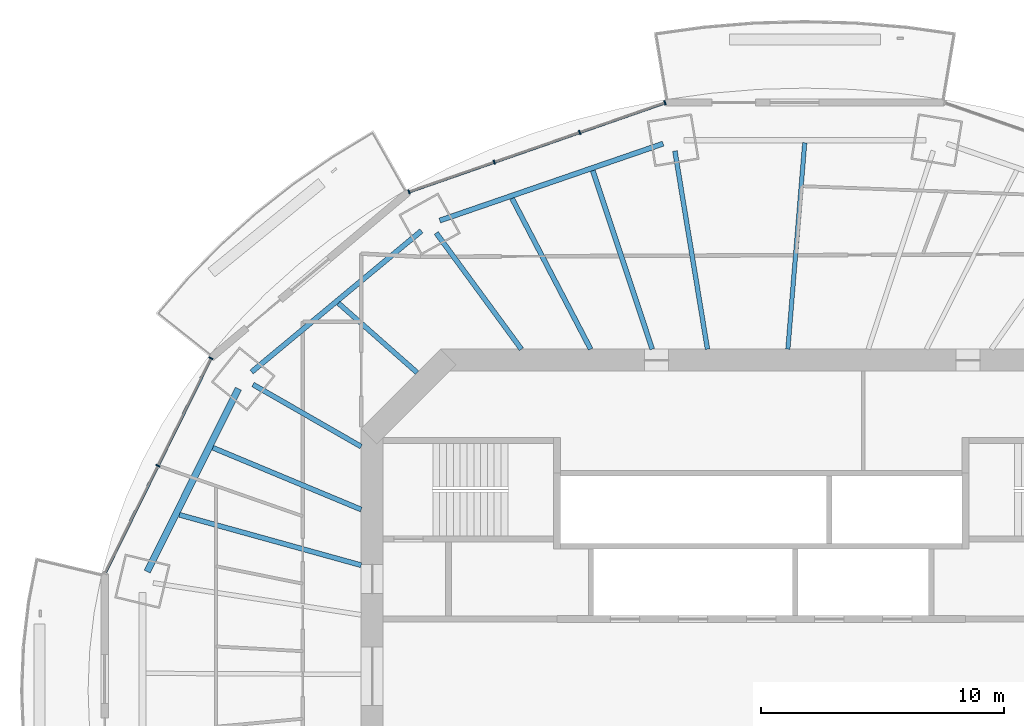
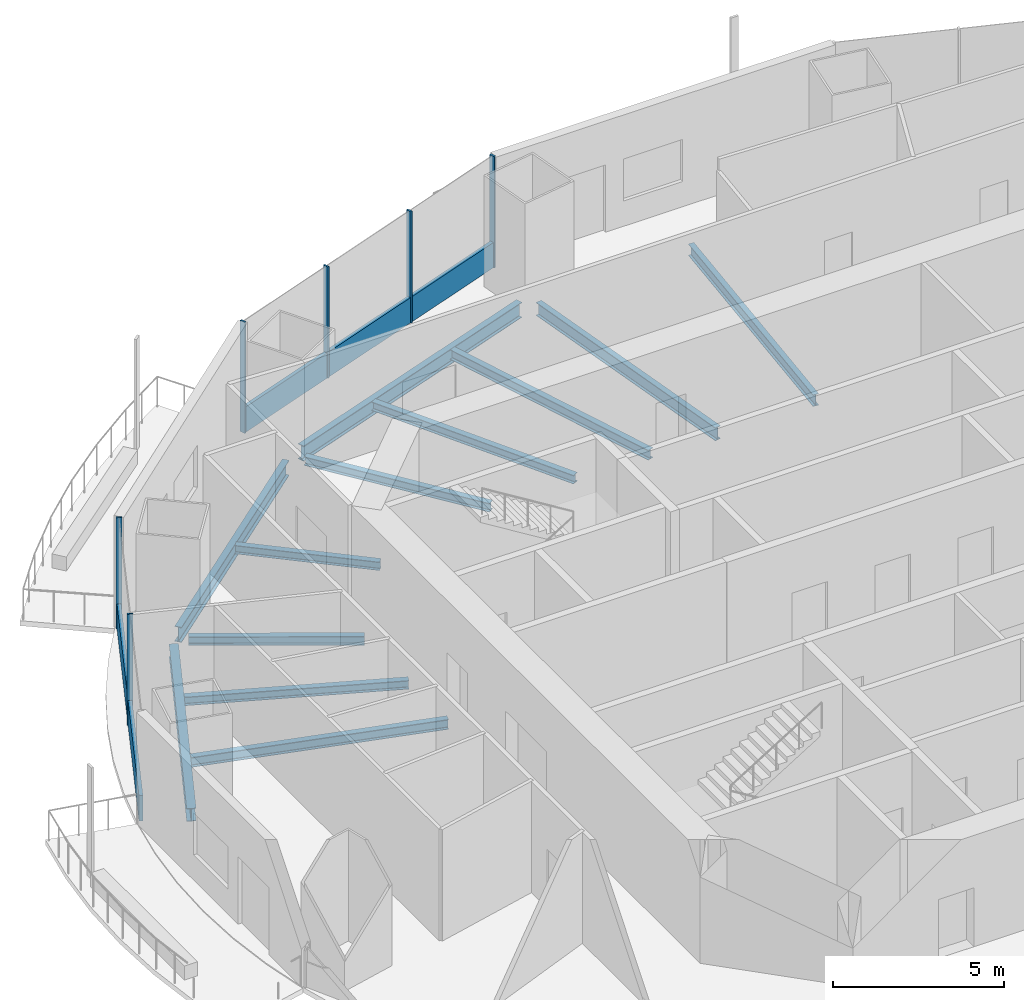
# One storey, part 6 of 18: 12 beams, 8 members, 2 elements without a shape of their own.
"""IFC4 building model written with IfcOpenShell, lengths in metres."""

from ifc_helpers import new_model, si_unit, direction, frame, origin, origin_2d, place, context, subcontext, project, spatial, rectangle, i_section, extrude, material, material_profile, profile_set, type_object, element, aggregate, save


model = new_model("IFC4")

# Units and contexts
model_context = context("Model", 3, precision=1e-05, world=origin(), true_north=direction((0.0, 1.0)))
body_context = subcontext(model_context, "Body", "Model", "MODEL_VIEW")
ifc_project = project(units=[si_unit("LENGTHUNIT", "METRE"), si_unit("AREAUNIT", "SQUARE_METRE"), si_unit("VOLUMEUNIT", "CUBIC_METRE"), si_unit("PLANEANGLEUNIT", "RADIAN"), si_unit("MASSUNIT", "GRAM", prefix="KILO")], contexts=[model_context])

# Site, building, storey
site_placement = place(None, origin())
site = spatial("IfcSite", under=ifc_project, at=site_placement, CompositionType="ELEMENT")
building_placement = place(site_placement, origin())
building = spatial("IfcBuilding", under=site, at=building_placement, Name="Marenthal Gate Tower", CompositionType="ELEMENT")
storey_placement = place(building_placement, frame((0.0, 0.0, 264.800048828125)))
storey = spatial("IfcBuildingStorey", under=building, at=storey_placement, Name="L59", CompositionType="ELEMENT", Elevation=264.800048828125)

# Curtain wall, members
ifc_material_1 = material(Name="Aluminium and glass", Category="aluminium")
curtain_wall_type = type_object("IfcCurtainWallType", Name="Curtain wall typical mid", PredefinedType="NOTDEFINED", material=ifc_material_1)
curtain_wall_1_placement = place(storey_placement, origin())
curtain_wall_1 = element("IfcCurtainWall", 1, at=curtain_wall_1_placement, inside=storey, type_object=curtain_wall_type, Name="Curtain wall L59 bay 5", PredefinedType="NOTDEFINED")
ifc_material_2 = material(Name="Aluminium", Category="aluminium")
ifc_material_profile_1 = material_profile(ifc_material_2, rectangle(XDim=0.179931640625, YDim=0.06005859375, at=origin_2d()), Name="60x180 aluminium mullion")
ifc_profile_set_1 = profile_set([ifc_material_profile_1], Name="Aluminium")
member_type_1 = type_object("IfcMemberType", Name="Mullion 60x180 typical mid", PredefinedType="MULLION", material=ifc_profile_set_1)
member_1_placement = place(storey_placement, frame((-3.956298828125, 23.584228515625, 0.0), z_axis=(0.0, 0.0, 1.0), x_axis=(0.328669787971, -0.944444900709, 0.0)))
member_1 = element("IfcMember", 2, at=member_1_placement, type_object=member_type_1, Name="Mullion L59 bay 5.1", PredefinedType="MULLION", context=body_context, shape_type="SweptSolid", body=[
    extrude(rectangle(XDim=0.179931640625, YDim=0.06005859375, at=origin_2d()), origin(), (0.0, 0.0, 1.0), 3.969970703125),
])
member_2_placement = place(storey_placement, frame((-7.465576171875, 22.363037109375, 0.0), z_axis=(0.0, 0.0, 1.0), x_axis=(0.328669787971, -0.944444900709, 0.0)))
member_2 = element("IfcMember", 3, at=member_2_placement, type_object=member_type_1, Name="Mullion L59 bay 5.2", PredefinedType="MULLION", context=body_context, shape_type="SweptSolid", body=[
    extrude(rectangle(XDim=0.179931640625, YDim=0.06005859375, at=origin_2d()), origin(), (0.0, 0.0, 1.0), 3.969970703125),
])
member_3_placement = place(storey_placement, frame((-10.974609375, 21.141845703125, 0.0), z_axis=(0.0, 0.0, 1.0), x_axis=(0.328669787971, -0.944444900709, 0.0)))
member_3 = element("IfcMember", 4, at=member_3_placement, type_object=member_type_1, Name="Mullion L59 bay 5.3", PredefinedType="MULLION", context=body_context, shape_type="SweptSolid", body=[
    extrude(rectangle(XDim=0.179931640625, YDim=0.06005859375, at=origin_2d()), origin(), (0.0, 0.0, 1.0), 3.969970703125),
])
member_4_placement = place(storey_placement, frame((-14.48388671875, 19.920654296875, 0.0), z_axis=(0.0, 0.0, 1.0), x_axis=(0.328669787971, -0.944444900709, 0.0)))
member_4 = element("IfcMember", 5, at=member_4_placement, type_object=member_type_1, Name="Mullion L59 bay 5.4", PredefinedType="MULLION", context=body_context, shape_type="SweptSolid", body=[
    extrude(rectangle(XDim=0.179931640625, YDim=0.06005859375, at=origin_2d()), origin(), (0.0, 0.0, 1.0), 3.969970703125),
])

curtain_wall_2_placement = place(storey_placement, origin())
curtain_wall_2 = element("IfcCurtainWall", 6, at=curtain_wall_2_placement, inside=storey, type_object=curtain_wall_type, Name="Curtain wall L59 bay 7", PredefinedType="NOTDEFINED")
member_5_placement = place(storey_placement, frame((-22.6259765625, 13.077880859375, 0.0), z_axis=(0.0, 0.0, 1.0), x_axis=(0.896920632002, -0.442191564697, 0.0)))
member_5 = element("IfcMember", 7, at=member_5_placement, type_object=member_type_1, Name="Mullion L59 bay 7.1", PredefinedType="MULLION", context=body_context, shape_type="SweptSolid", body=[
    extrude(rectangle(XDim=0.179931640625, YDim=0.06005859375, at=origin_2d()), origin(), (0.0, 0.0, 1.0), 3.969970703125),
])
member_6_placement = place(storey_placement, frame((-24.8046875, 8.65869140625, 0.0), z_axis=(0.0, 0.0, 1.0), x_axis=(0.896920632002, -0.442191564697, 0.0)))
member_6 = element("IfcMember", 8, at=member_6_placement, type_object=member_type_1, Name="Mullion L59 bay 7.2", PredefinedType="MULLION", context=body_context, shape_type="SweptSolid", body=[
    extrude(rectangle(XDim=0.179931640625, YDim=0.06005859375, at=origin_2d()), origin(), (0.0, 0.0, 1.0), 3.969970703125),
])

# Member
ifc_material_3 = material(Name="Aluminium", Category="aluminium")
ifc_material_profile_2 = material_profile(ifc_material_3, rectangle(XDim=0.1201171875, YDim=0.89990234375, at=origin_2d()), Name="120x900 aluminium transom")
ifc_profile_set_2 = profile_set([ifc_material_profile_2], Name="Aluminium")
member_type_2 = type_object("IfcMemberType", Name="Transom 120x900 typical mid", PredefinedType="USERDEFINED", material=ifc_profile_set_2)
member_7_placement = place(storey_placement, frame((-3.984619140625, 23.57421875, 0.449951171875), z_axis=(-0.944445984358, -0.328666674047, 0.0), x_axis=(0.328666674047, -0.944445984358, 0.0)))
member_7 = element("IfcMember", 9, at=member_7_placement, type_object=member_type_2, Name="Transom L59 bay 5", ObjectType="TRANSOM", PredefinedType="USERDEFINED", context=body_context, shape_type="SweptSolid", body=[
    extrude(rectangle(XDim=0.1201171875, YDim=0.89990234375, at=origin_2d()), origin(), (0.0, 0.0, 1.0), 11.086669921875),
])

aggregate(curtain_wall_1, [member_1, member_2, member_3, member_4, member_7])

member_8_placement = place(storey_placement, frame((-22.639404296875, 13.051025390625, 0.449951171875), z_axis=(-0.442181240155, -0.896925722039, 0.0), x_axis=(0.896925722039, -0.442181240155, 0.0)))
member_8 = element("IfcMember", 10, at=member_8_placement, type_object=member_type_2, Name="Transom L59 bay 7", ObjectType="TRANSOM", PredefinedType="USERDEFINED", context=body_context, shape_type="SweptSolid", body=[
    extrude(rectangle(XDim=0.1201171875, YDim=0.89990234375, at=origin_2d()), origin(), (0.0, 0.0, 1.0), 9.794189453125),
])

aggregate(curtain_wall_2, [member_5, member_6, member_8])

# Beams
ifc_material_4 = material(Name="Steel S355", Category="steel")
ifc_material_profile_3 = material_profile(ifc_material_4, i_section(OverallWidth=0.202880859375, OverallDepth=0.302001953125, WebThickness=0.007568359375, FlangeThickness=0.01318359375, FilletRadius=0.0126953125, at=origin_2d()), Name="W310X60")
ifc_profile_set_3 = profile_set([ifc_material_profile_3], Name="Steel S355")
beam_type_1 = type_object("IfcBeamType", Name="W310X60 beam", PredefinedType="BEAM", material=ifc_profile_set_3)
beam_1_placement = place(storey_placement, frame((-17.38623046875, 15.341064453125, -0.3310546875), z_axis=(0.74982960037, -0.661630992631, 0.0), x_axis=(0.661630992631, 0.74982960037, 0.0)))
element("IfcBeam", 11, at=beam_1_placement, inside=storey, type_object=beam_type_1, Name="BM-L59-25", PredefinedType="BEAM", context=body_context, shape_type="SweptSolid", body=[
    extrude(i_section(OverallWidth=0.202880859375, OverallDepth=0.302001953125, WebThickness=0.007568359375, FlangeThickness=0.01318359375, FilletRadius=0.0126953125, at=origin_2d()), origin(), (0.0, 0.0, 1.0), 4.3154296875),
])
ifc_material_5 = material(Name="Steel S355", Category="steel")
ifc_material_profile_4 = material_profile(ifc_material_5, i_section(OverallWidth=0.205078125, OverallDepth=0.31005859375, WebThickness=0.009521484375, FlangeThickness=0.016357421875, FilletRadius=0.0126953125, at=origin_2d()), Name="W310X74")
ifc_profile_set_4 = profile_set([ifc_material_profile_4], Name="Steel S355")
beam_type_2 = type_object("IfcBeamType", Name="W310X74 beam", PredefinedType="BEAM", material=ifc_profile_set_4)
beam_2_placement = place(storey_placement, frame((-13.36376953125, 18.22802734375, -0.3349609375), z_axis=(0.591254682891, -0.80648490374, 0.0), x_axis=(0.80648490374, 0.591254682891, 0.0)))
element("IfcBeam", 12, at=beam_2_placement, inside=storey, type_object=beam_type_2, Name="BM-L59-06", PredefinedType="BEAM", context=body_context, shape_type="SweptSolid", body=[
    extrude(i_section(OverallWidth=0.205078125, OverallDepth=0.31005859375, WebThickness=0.009521484375, FlangeThickness=0.016357421875, FilletRadius=0.0126953125, at=origin_2d()), origin(), (0.0, 0.0, 1.0), 5.924560546875),
])
beam_3_placement = place(storey_placement, frame((-20.898681640625, 11.9970703125, -0.3349609375), z_axis=(0.867269079929, -0.497839675999, 0.0), x_axis=(0.497839675999, 0.867269079929, 0.0)))
element("IfcBeam", 13, at=beam_3_placement, inside=storey, type_object=beam_type_2, Name="BM-L59-07", PredefinedType="BEAM", context=body_context, shape_type="SweptSolid", body=[
    extrude(i_section(OverallWidth=0.205078125, OverallDepth=0.31005859375, WebThickness=0.009521484375, FlangeThickness=0.016357421875, FilletRadius=0.0126953125, at=origin_2d()), origin(), (0.0, 0.0, 1.0), 5.129638671875),
])
beam_4_placement = place(storey_placement, frame((-10.24658203125, 19.651123046875, -0.3349609375), z_axis=(0.462341699515, -0.886701839904, 0.0), x_axis=(0.886701839904, 0.462341699515, 0.0)))
element("IfcBeam", 14, at=beam_4_placement, inside=storey, type_object=beam_type_2, Name="BM-L59-24", PredefinedType="BEAM", context=body_context, shape_type="SweptSolid", body=[
    extrude(i_section(OverallWidth=0.205078125, OverallDepth=0.31005859375, WebThickness=0.009521484375, FlangeThickness=0.016357421875, FilletRadius=0.0126953125, at=origin_2d()), origin(), (0.0, 0.0, 1.0), 6.993408203125),
])
beam_5_placement = place(storey_placement, frame((-22.552734375, 9.39892578125, -0.3349609375), z_axis=(0.923056164133, -0.384665202295, 0.0), x_axis=(0.384665202295, 0.923056164133, 0.0)))
element("IfcBeam", 15, at=beam_5_placement, inside=storey, type_object=beam_type_2, Name="BM-L59-26", PredefinedType="BEAM", context=body_context, shape_type="SweptSolid", body=[
    extrude(i_section(OverallWidth=0.205078125, OverallDepth=0.31005859375, WebThickness=0.009521484375, FlangeThickness=0.016357421875, FilletRadius=0.0126953125, at=origin_2d()), origin(), (0.0, 0.0, 1.0), 6.611572265625),
])
ifc_material_6 = material(Name="Steel S355", Category="steel")
ifc_material_profile_5 = material_profile(ifc_material_6, i_section(OverallWidth=0.205078125, OverallDepth=0.35302734375, WebThickness=0.009521484375, FlangeThickness=0.016845703125, FilletRadius=0.014892578125, at=origin_2d()), Name="W360X79")
ifc_profile_set_5 = profile_set([ifc_material_profile_5], Name="Steel S355")
beam_type_3 = type_object("IfcBeamType", Name="W360X79 beam", PredefinedType="BEAM", material=ifc_profile_set_5)
beam_6_placement = place(storey_placement, frame((-6.924560546875, 20.794677734375, -0.3564453125), z_axis=(0.315943913251, -0.94877786846, 0.0), x_axis=(0.94877786846, 0.315943913251, 0.0)))
element("IfcBeam", 16, at=beam_6_placement, inside=storey, type_object=beam_type_3, Name="BM-L59-23", PredefinedType="BEAM", context=body_context, shape_type="SweptSolid", body=[
    extrude(i_section(OverallWidth=0.205078125, OverallDepth=0.35302734375, WebThickness=0.009521484375, FlangeThickness=0.016845703125, FilletRadius=0.014892578125, at=origin_2d()), origin(), (0.0, 0.0, 1.0), 7.7412109375),
])
beam_7_placement = place(storey_placement, frame((-23.927490234375, 6.640380859375, -0.3564453125), z_axis=(0.963580984716, -0.267416689633, 0.0), x_axis=(0.267416689633, 0.963580984716, 0.0)))
element("IfcBeam", 17, at=beam_7_placement, inside=storey, type_object=beam_type_3, Name="BM-L59-27", PredefinedType="BEAM", context=body_context, shape_type="SweptSolid", body=[
    extrude(i_section(OverallWidth=0.205078125, OverallDepth=0.35302734375, WebThickness=0.009521484375, FlangeThickness=0.016845703125, FilletRadius=0.014892578125, at=origin_2d()), origin(), (0.0, 0.0, 1.0), 7.76025390625),
])
ifc_material_7 = material(Name="Steel S355", Category="steel")
ifc_material_profile_6 = material_profile(ifc_material_7, i_section(OverallWidth=0.180908203125, OverallDepth=0.4169921875, WebThickness=0.010986328125, FlangeThickness=0.018310546875, FilletRadius=0.01025390625, at=origin_2d()), Name="W410X85")
ifc_profile_set_6 = profile_set([ifc_material_profile_6], Name="Steel S355")
beam_type_4 = type_object("IfcBeamType", Name="W410X85 beam", PredefinedType="BEAM", material=ifc_profile_set_6)
beam_8_placement = place(storey_placement, frame((1.791259765625, 21.9384765625, -0.388427734375), z_axis=(-0.081382349502, -0.996682955202, 0.0), x_axis=(0.996682955202, -0.081382349502, 0.0)))
element("IfcBeam", 18, at=beam_8_placement, inside=storey, type_object=beam_type_4, Name="BM-L59-22", PredefinedType="BEAM", context=body_context, shape_type="SweptSolid", body=[
    extrude(i_section(OverallWidth=0.180908203125, OverallDepth=0.4169921875, WebThickness=0.010986328125, FlangeThickness=0.018310546875, FilletRadius=0.01025390625, at=origin_2d()), origin(), (0.0, 0.0, 1.0), 8.516845703125),
])
ifc_material_8 = material(Name="Steel S355", Category="steel")
ifc_material_profile_7 = material_profile(ifc_material_8, i_section(OverallWidth=0.279052734375, OverallDepth=0.4619140625, WebThickness=0.0107421875, FlangeThickness=0.017333984375, FilletRadius=0.010009765625, at=origin_2d()), Name="W460X113")
ifc_profile_set_7 = profile_set([ifc_material_profile_7], Name="Steel S355")
beam_type_5 = type_object("IfcBeamType", Name="W460X113 beam", PredefinedType="BEAM", material=ifc_profile_set_7)
beam_9_placement = place(storey_placement, frame((-21.498291015625, 11.8271484375, -0.4111328125), z_axis=(-0.446062695792, -0.895001715877, 0.0), x_axis=(0.895001715877, -0.446062695792, 0.0)))
element("IfcBeam", 19, at=beam_9_placement, inside=storey, type_object=beam_type_5, Name="BM-L59-47", PredefinedType="BEAM", context=body_context, shape_type="SweptSolid", body=[
    extrude(i_section(OverallWidth=0.279052734375, OverallDepth=0.4619140625, WebThickness=0.0107421875, FlangeThickness=0.017333984375, FilletRadius=0.010009765625, at=origin_2d()), origin(), (0.0, 0.0, 1.0), 8.403076171875),
])
ifc_material_9 = material(Name="Steel S355", Category="steel")
ifc_material_profile_8 = material_profile(ifc_material_9, i_section(OverallWidth=0.193115234375, OverallDepth=0.467041015625, WebThickness=0.011474609375, FlangeThickness=0.01904296875, FilletRadius=0.010009765625, at=origin_2d()), Name="W460X97")
ifc_profile_set_8 = profile_set([ifc_material_profile_8], Name="Steel S355")
beam_type_6 = type_object("IfcBeamType", Name="W460X97 beam", PredefinedType="BEAM", material=ifc_profile_set_8)
beam_10_placement = place(storey_placement, frame((-3.546875, 21.600341796875, -0.41357421875), z_axis=(0.162040220851, -0.986784154122, 0.0), x_axis=(0.986784154122, 0.162040220851, 0.0)))
element("IfcBeam", 20, at=beam_10_placement, inside=storey, type_object=beam_type_6, Name="BM-L59-05", PredefinedType="BEAM", context=body_context, shape_type="SweptSolid", body=[
    extrude(i_section(OverallWidth=0.193115234375, OverallDepth=0.467041015625, WebThickness=0.011474609375, FlangeThickness=0.01904296875, FilletRadius=0.010009765625, at=origin_2d()), origin(), (0.0, 0.0, 1.0), 8.259521484375),
])
ifc_material_10 = material(Name="Steel S355", Category="steel")
ifc_material_profile_9 = material_profile(ifc_material_10, i_section(OverallWidth=0.2119140625, OverallDepth=0.5439453125, WebThickness=0.01318359375, FlangeThickness=0.021240234375, FilletRadius=0.0126953125, at=origin_2d()), Name="W530X123")
ifc_profile_set_9 = profile_set([ifc_material_profile_9], Name="Steel S355")
beam_type_7 = type_object("IfcBeamType", Name="W530X123 beam", PredefinedType="BEAM", material=ifc_profile_set_9)
beam_11_placement = place(storey_placement, frame((-4.0341796875, 21.90185546875, -0.4521484375), z_axis=(-0.945538727214, -0.325509624034, 0.0), x_axis=(0.325509624034, -0.945538727214, 0.0)))
element("IfcBeam", 21, at=beam_11_placement, inside=storey, type_object=beam_type_7, Name="BM-L59-45", PredefinedType="BEAM", context=body_context, shape_type="SweptSolid", body=[
    extrude(i_section(OverallWidth=0.2119140625, OverallDepth=0.5439453125, WebThickness=0.01318359375, FlangeThickness=0.021240234375, FilletRadius=0.0126953125, at=origin_2d()), origin(), (0.0, 0.0, 1.0), 9.713623046875),
])
beam_12_placement = place(storey_placement, frame((-13.9736328125, 18.31494140625, -0.4521484375), z_axis=(-0.769082206984, -0.639149872018, 0.0), x_axis=(0.639149872018, -0.769082206984, 0.0)))
element("IfcBeam", 22, at=beam_12_placement, inside=storey, type_object=beam_type_7, Name="BM-L59-46", PredefinedType="BEAM", context=body_context, shape_type="SweptSolid", body=[
    extrude(i_section(OverallWidth=0.2119140625, OverallDepth=0.5439453125, WebThickness=0.01318359375, FlangeThickness=0.021240234375, FilletRadius=0.0126953125, at=origin_2d()), origin(), (0.0, 0.0, 1.0), 9.0810546875),
])

save(model, "model.ifc")
